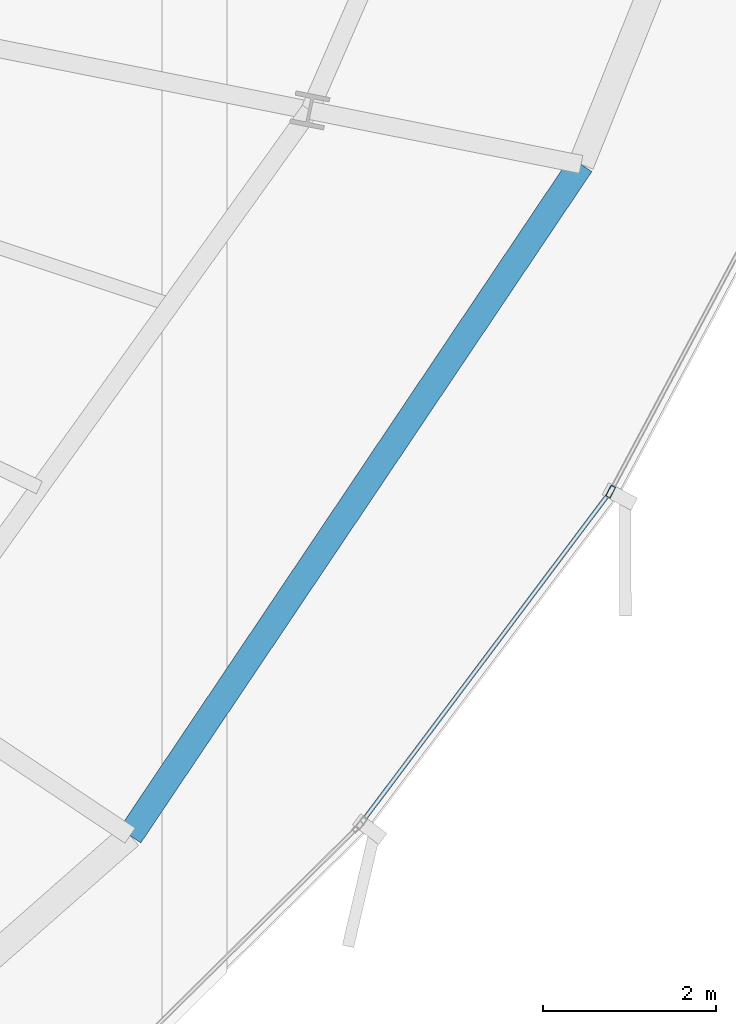
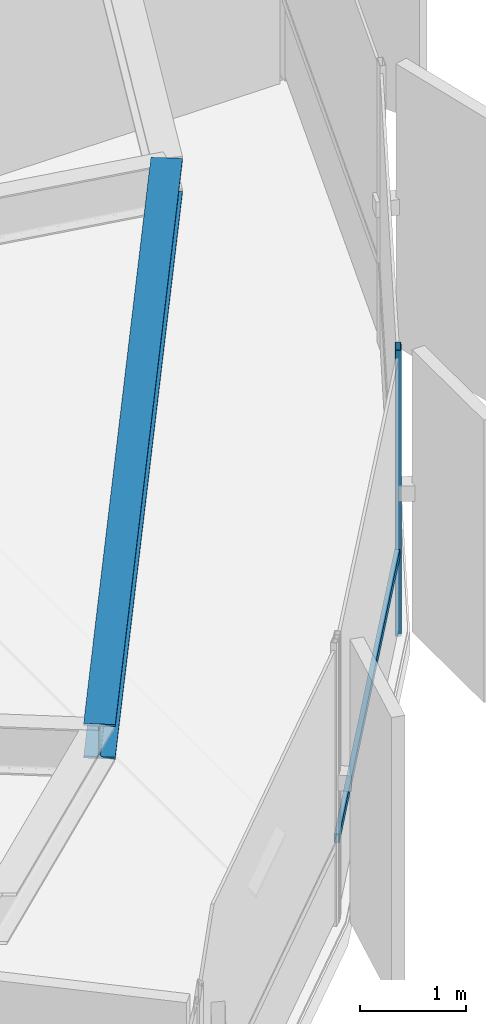
# One storey, part 16 of 37: 2 members, 1 beam, 1 element without a shape of its own.
"""IFC4 building model written with IfcOpenShell, lengths in metres."""

from ifc_helpers import new_model, si_unit, direction, frame, origin, origin_2d, place, context, subcontext, project, spatial, hollow_rectangle, i_section, extrude, source, transform, mapped, material, layer, layer_set, material_profile, profile_set, type_object, element, aggregate, save


model = new_model("IFC4")

# Units and contexts
model_context = context("Model", 3, precision=1e-05, world=origin(), true_north=direction((0.0, 1.0)))
body_context = subcontext(model_context, "Body", "Model", "MODEL_VIEW")
ifc_project = project(units=[si_unit("LENGTHUNIT", "METRE"), si_unit("AREAUNIT", "SQUARE_METRE"), si_unit("VOLUMEUNIT", "CUBIC_METRE"), si_unit("PLANEANGLEUNIT", "RADIAN"), si_unit("MASSUNIT", "GRAM", prefix="KILO"), si_unit("THERMODYNAMICTEMPERATUREUNIT", "KELVIN")], contexts=[model_context])

# Site, building, storey
site_placement = place(None, origin())
site = spatial("IfcSite", under=ifc_project, at=site_placement, CompositionType="ELEMENT")
building_placement = place(site_placement, origin())
building = spatial("IfcBuilding", under=site, at=building_placement, Name="Kethvar Cultural Tower", CompositionType="ELEMENT")
storey_placement = place(building_placement, frame((0.0, 0.0, 132.35009765625)))
storey = spatial("IfcBuildingStorey", under=building, at=storey_placement, Name="L33", CompositionType="ELEMENT", Elevation=132.35009765625)

# Beam
ifc_material_1 = material(Name="Steel S355J2", Category="steel")
ifc_material_profile_1 = material_profile(ifc_material_1, i_section(OverallWidth=0.300048828125, OverallDepth=0.39990234375, WebThickness=0.013427734375, FlangeThickness=0.02392578125, FilletRadius=0.027099609375, at=origin_2d()), Name="Steel S355J2 — HEB400")
ifc_profile_set_1 = profile_set([ifc_material_profile_1], Name="Steel S355J2 — HEB400")
beam_type = type_object("IfcBeamType", Name="BM-SP400", PredefinedType="SPANDREL", material=ifc_profile_set_1)
shared_shape_1 = source(origin(), body_context, "Body", "SweptSolid", [
    extrude(i_section(OverallWidth=0.300048828125, OverallDepth=0.39990234375, WebThickness=0.013427734375, FlangeThickness=0.02392578125, FilletRadius=0.027099609375, at=origin_2d()), origin(), (0.0, 0.0, 1.0), 9.355224609375),
])
beam_placement = place(storey_placement, frame((65.559326171875, 15.265380859375, 3.097900390625), z_axis=(0.557731714622, 0.830021285573, 0.0), x_axis=(-0.830021285573, 0.557731714622, 0.0)))
element("IfcBeam", 1, at=beam_placement, inside=storey, type_object=beam_type, Name="L33 Perimeter Spandrel Beam SP-15", PredefinedType="SPANDREL", context=body_context, shape_type="MappedRepresentation", body=[
    mapped(shared_shape_1, transform((0.0, 0.0, 0.0), scale=1.0)),
])

# Curtain wall, members
ifc_material_2 = material(Name="Aluminium 6063-T6", Category="aluminium")
ifc_layer = layer(ifc_material_2, 0.179931640625, Name="Aluminium 6063-T6", Category="aluminium")
ifc_layer_set = layer_set([ifc_layer], Name="Aluminium 6063-T6 (180 mm)")
curtain_wall_type = type_object("IfcCurtainWallType", Name="CW-SYS-04-Z34", PredefinedType="NOTDEFINED", material=ifc_layer_set)
curtain_wall_placement = place(storey_placement, origin())
curtain_wall = element("IfcCurtainWall", 2, at=curtain_wall_placement, inside=storey, type_object=curtain_wall_type, Name="L33 Curtain Wall Run 06", PredefinedType="NOTDEFINED")
ifc_material_profile_2 = material_profile(ifc_material_2, hollow_rectangle(XDim=0.06005859375, YDim=0.139892578125, WallThickness=0.0048828125, at=origin_2d()), Name="Aluminium 6063-T6 — RHS140x60x5")
ifc_profile_set_2 = profile_set([ifc_material_profile_2], Name="Aluminium 6063-T6 — RHS140x60x5")
member_type_1 = type_object("IfcMemberType", Name="CW-SYS-04-Z34-MUL", PredefinedType="MULLION", material=ifc_profile_set_2)
shared_shape_2 = source(origin(), body_context, "Body", "SweptSolid", [
    extrude(hollow_rectangle(XDim=0.06005859375, YDim=0.139892578125, WallThickness=0.0048828125, at=origin_2d()), origin(), (0.0, 0.0, 1.0), 3.2998046875),
])
member_1_placement = place(storey_placement, frame((71.118408203125, 19.2451171875, 0.0), z_axis=(0.0, 0.0, 1.0), x_axis=(-0.882595009783, 0.470134075244, 0.0)))
member_1 = element("IfcMember", 3, at=member_1_placement, type_object=member_type_1, Name="CW-L33-R06 Mullion 2", PredefinedType="MULLION", context=body_context, shape_type="MappedRepresentation", body=[
    mapped(shared_shape_2, transform((0.0, 0.0, 0.0), scale=1.0)),
])
ifc_material_profile_3 = material_profile(ifc_material_2, hollow_rectangle(XDim=0.050048828125, YDim=0.10009765625, WallThickness=0.00390625, at=origin_2d()), Name="Aluminium 6063-T6 — RHS100x50x4")
ifc_profile_set_3 = profile_set([ifc_material_profile_3], Name="Aluminium 6063-T6 — RHS100x50x4")
member_type_2 = type_object("IfcMemberType", Name="CW-SYS-04-Z34-TRN", PredefinedType="USERDEFINED", material=ifc_profile_set_3)
shared_shape_3 = source(origin(), body_context, "Body", "SweptSolid", [
    extrude(hollow_rectangle(XDim=0.050048828125, YDim=0.10009765625, WallThickness=0.00390625, at=origin_2d()), origin(), (0.0, 0.0, 1.0), 4.765869140625),
])
member_2_placement = place(storey_placement, frame((68.23779296875, 15.41552734375, 0.949951171875), z_axis=(0.600884823647, 0.799335617066, 0.0), x_axis=(-0.799335617066, 0.600884823647, 0.0)))
member_2 = element("IfcMember", 4, at=member_2_placement, type_object=member_type_2, Name="CW-L33-R06 Transom 1", ObjectType="TRANSOM", PredefinedType="USERDEFINED", context=body_context, shape_type="MappedRepresentation", body=[
    mapped(shared_shape_3, transform((0.0, 0.0, 0.0), scale=1.0)),
])
aggregate(curtain_wall, [member_1, member_2])

save(model, "model.ifc")
